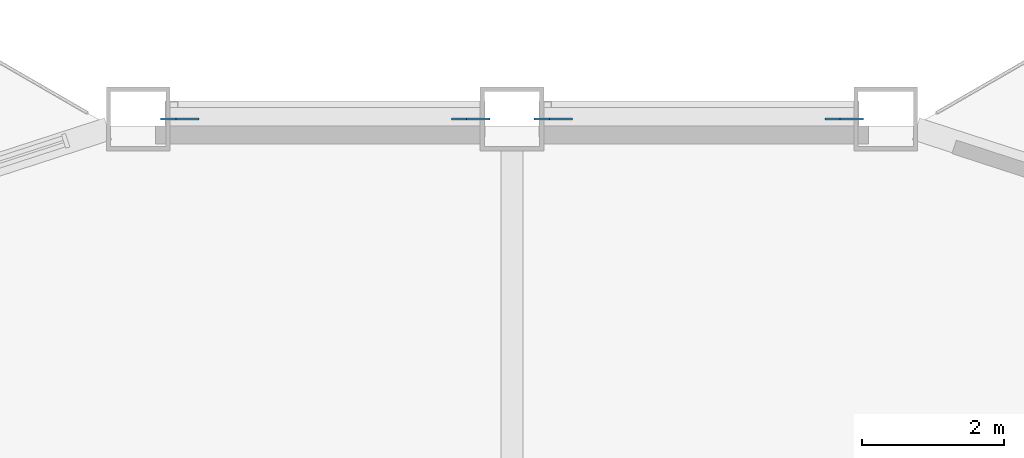
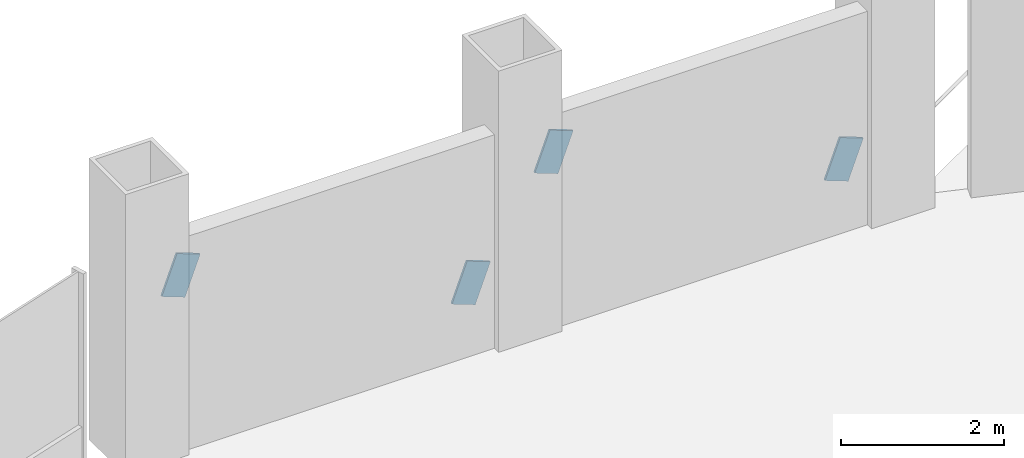
# One storey, part 16 of 21: 4 discrete accessories.
"""IFC4 building model written with IfcOpenShell, lengths in metres."""

from ifc_helpers import new_model, si_unit, direction, frame, origin, origin_2d, place, context, subcontext, project, spatial, rectangle, extrude, material, material_profile, profile_set, type_object, element, save


model = new_model("IFC4")

# Units and contexts
model_context = context("Model", 3, precision=1e-05, world=origin(), true_north=direction((0.0, 1.0)))
body_context = subcontext(model_context, "Body", "Model", "MODEL_VIEW")
ifc_project = project(units=[si_unit("LENGTHUNIT", "METRE"), si_unit("AREAUNIT", "SQUARE_METRE"), si_unit("VOLUMEUNIT", "CUBIC_METRE"), si_unit("PLANEANGLEUNIT", "RADIAN"), si_unit("MASSUNIT", "GRAM", prefix="KILO")], contexts=[model_context])

# Site, building, storey
site_placement = place(None, origin())
site = spatial("IfcSite", under=ifc_project, at=site_placement, CompositionType="ELEMENT")
building_placement = place(site_placement, origin())
building = spatial("IfcBuilding", under=site, at=building_placement, Name="Cormorant Prow Tower", CompositionType="ELEMENT")
storey_placement = place(building_placement, frame((0.0, 0.0, 124.800048828125)))
storey = spatial("IfcBuildingStorey", under=building, at=storey_placement, Name="L26", CompositionType="ELEMENT", Elevation=124.800048828125)

# Discrete accessories
ifc_material = material(Name="Structural steel ASTM A500 Gr C", Category="steel")
ifc_material_profile = material_profile(ifc_material, rectangle(XDim=0.031982421875, YDim=0.60791015625, at=origin_2d()), Name="Gusset plate 32x608")
ifc_profile_set = profile_set([ifc_material_profile], Name="Structural steel ASTM A500 Gr C")
discrete_accessory_type = type_object("IfcDiscreteAccessoryType", Name="Gusset plate 32x608", PredefinedType="BRACKET", material=ifc_profile_set)
discrete_accessory_1_placement = place(storey_placement, frame((4.521240234375, 32.487060546875, 0.88232421875), z_axis=(0.935610415408, 0.0, -0.353034205963), x_axis=(0.0, 1.0, 0.0)))
element("IfcDiscreteAccessory", 1, at=discrete_accessory_1_placement, inside=storey, type_object=discrete_accessory_type, Name="Gusset plate GP1 L26.N00.g0", PredefinedType="BRACKET", context=body_context, shape_type="SweptSolid", body=[
    extrude(rectangle(XDim=0.031982421875, YDim=0.60791015625, at=origin_2d()), origin(), (0.0, 0.0, 1.0), 0.349853515625),
])
for number, where, z_axis, x_axis, name in (
    (2, (0.74853515625, 32.487060546875, 2.306396484375), (-0.935697286394, 0.0, 0.35280389487), (0.0, -1.0, 0.0), "Gusset plate GP1 L26.N00.g1"),
    (3, (-0.74853515625, 32.487060546875, 0.88232421875), (0.935697286394, 0.0, -0.35280389487), (0.0, 1.0, 0.0), "Gusset plate GP1 L26.N01.g0"),
):
    element("IfcDiscreteAccessory", number, at=place(storey_placement, frame(where, z_axis=z_axis, x_axis=x_axis)), inside=storey, type_object=discrete_accessory_type, Name=name, PredefinedType="BRACKET", context=body_context, shape_type="SweptSolid", body=[
        extrude(rectangle(XDim=0.031982421875, YDim=0.60791015625, at=origin_2d()), origin(), (0.0, 0.0, 1.0), 0.35009765625),
    ])
discrete_accessory_2_placement = place(storey_placement, frame((-4.521240234375, 32.487060546875, 2.306396484375), z_axis=(-0.935610415408, 0.0, 0.353034205963), x_axis=(0.0, -1.0, 0.0)))
element("IfcDiscreteAccessory", 4, at=discrete_accessory_2_placement, inside=storey, type_object=discrete_accessory_type, Name="Gusset plate GP1 L26.N01.g1", PredefinedType="BRACKET", context=body_context, shape_type="SweptSolid", body=[
    extrude(rectangle(XDim=0.031982421875, YDim=0.60791015625, at=origin_2d()), origin(), (0.0, 0.0, 1.0), 0.349853515625),
])

save(model, "model.ifc")
